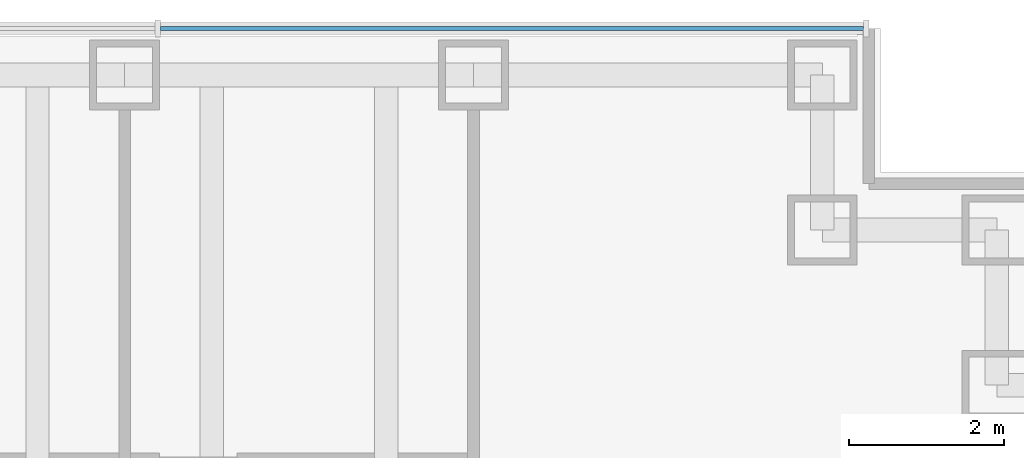
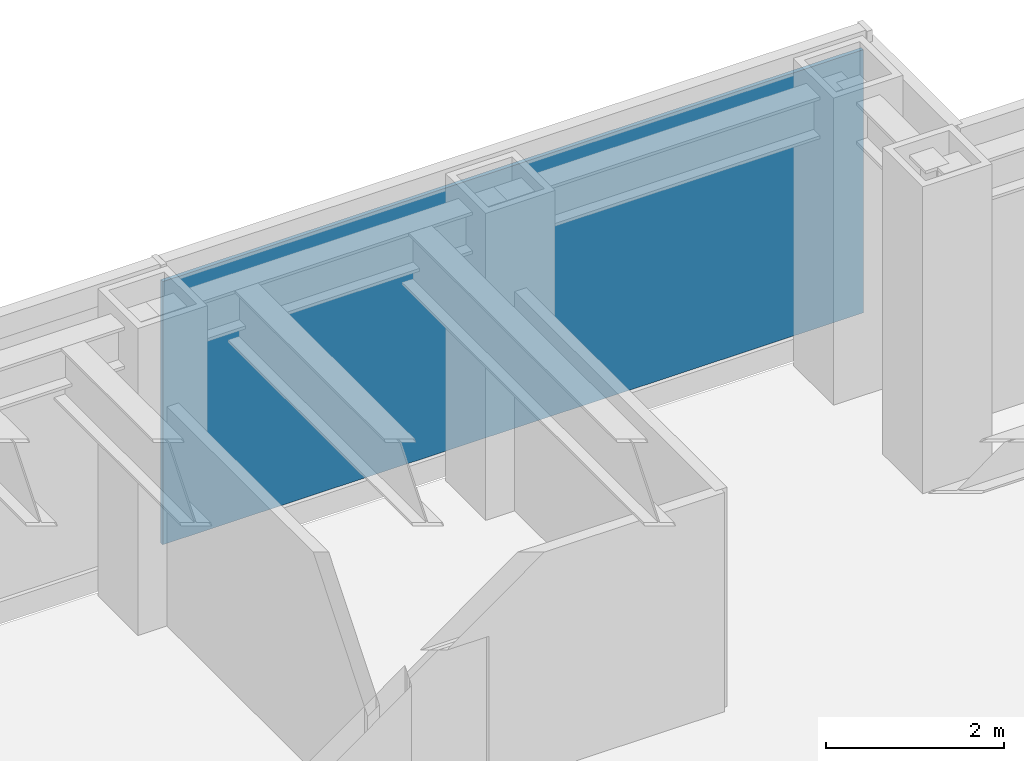
# One storey, part 11 of 19: 1 plate, 1 element without a shape of its own.
"""IFC4 building model written with IfcOpenShell, lengths in metres."""

from ifc_helpers import new_model, si_unit, direction, frame, origin, origin_2d, place, context, subcontext, project, spatial, rectangle, extrude, material, layer, layer_set, type_object, element, aggregate, save


model = new_model("IFC4")

# Units and contexts
model_context = context("Model", 3, precision=1e-05, world=origin(), true_north=direction((0.0, 1.0)))
body_context = subcontext(model_context, "Body", "Model", "MODEL_VIEW")
ifc_project = project(units=[si_unit("LENGTHUNIT", "METRE"), si_unit("AREAUNIT", "SQUARE_METRE"), si_unit("VOLUMEUNIT", "CUBIC_METRE"), si_unit("PLANEANGLEUNIT", "RADIAN"), si_unit("MASSUNIT", "GRAM", prefix="KILO")], contexts=[model_context])

# Site, building, storey
site_placement = place(None, origin())
site = spatial("IfcSite", under=ifc_project, at=site_placement, CompositionType="ELEMENT")
building_placement = place(site_placement, origin())
building = spatial("IfcBuilding", under=site, at=building_placement, Name="Rheinbord Bourse Tower", CompositionType="ELEMENT")
storey_placement = place(building_placement, frame((0.0, 0.0, 167.699951171875)))
storey = spatial("IfcBuildingStorey", under=building, at=storey_placement, Name="L37", CompositionType="ELEMENT", Elevation=167.699951171875)

# Curtain wall, plate
ifc_material_1 = material(Name="Dark glass and black aluminium", Category="aluminium")
curtain_wall_type = type_object("IfcCurtainWallType", Name="CW2 DARK GLASS CURTAIN WALL", PredefinedType="USERDEFINED", material=ifc_material_1)
curtain_wall_placement = place(storey_placement, origin())
curtain_wall = element("IfcCurtainWall", 1, at=curtain_wall_placement, inside=storey, type_object=curtain_wall_type, Name="Curtain wall CW2 N L37", ObjectType="UNITISED CURTAIN WALL", PredefinedType="USERDEFINED")
ifc_material_2 = material(Name="Dark tinted triple insulating glass", Category="glass")
ifc_layer = layer(ifc_material_2, 0.050048828125)
ifc_layer_set = layer_set([ifc_layer], Name="CW2 DARK GLASS PANEL")
plate_type = type_object("IfcPlateType", Name="CW2 DARK GLASS PANEL", PredefinedType="CURTAIN_PANEL", material=ifc_layer_set)
plate_placement = place(storey_placement, frame((63.496826171875, 46.60009765625, 0.300048828125), z_axis=(0.0, 0.0, 1.0), x_axis=(-1.0, 0.0, 0.0)))
plate = element("IfcPlate", 2, at=plate_placement, type_object=plate_type, Name="CW2 panel 1.1", PredefinedType="CURTAIN_PANEL", context=body_context, shape_type="SweptSolid", body=[
    extrude(rectangle(XDim=9.06640625, YDim=0.050048828125, at=origin_2d()), origin(), (0.0, 0.0, 1.0), 3.60009765625),
])
aggregate(curtain_wall, [plate])

save(model, "model.ifc")
